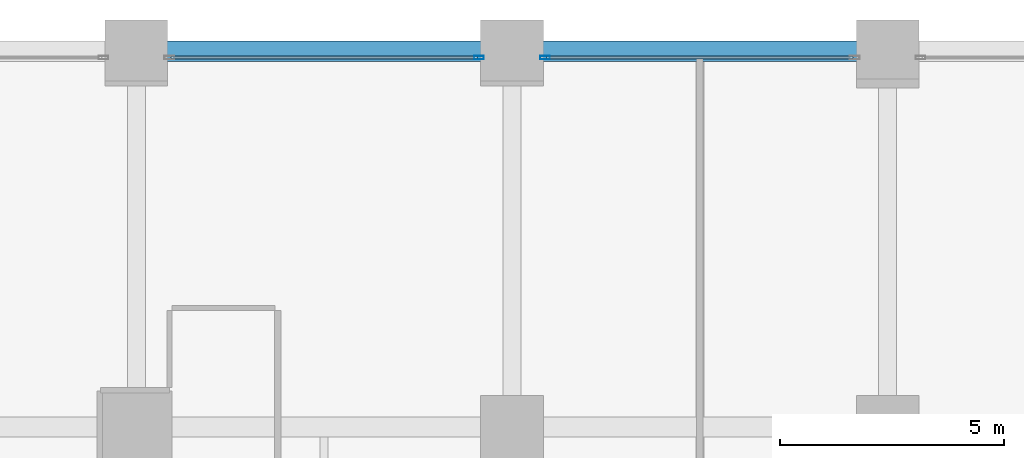
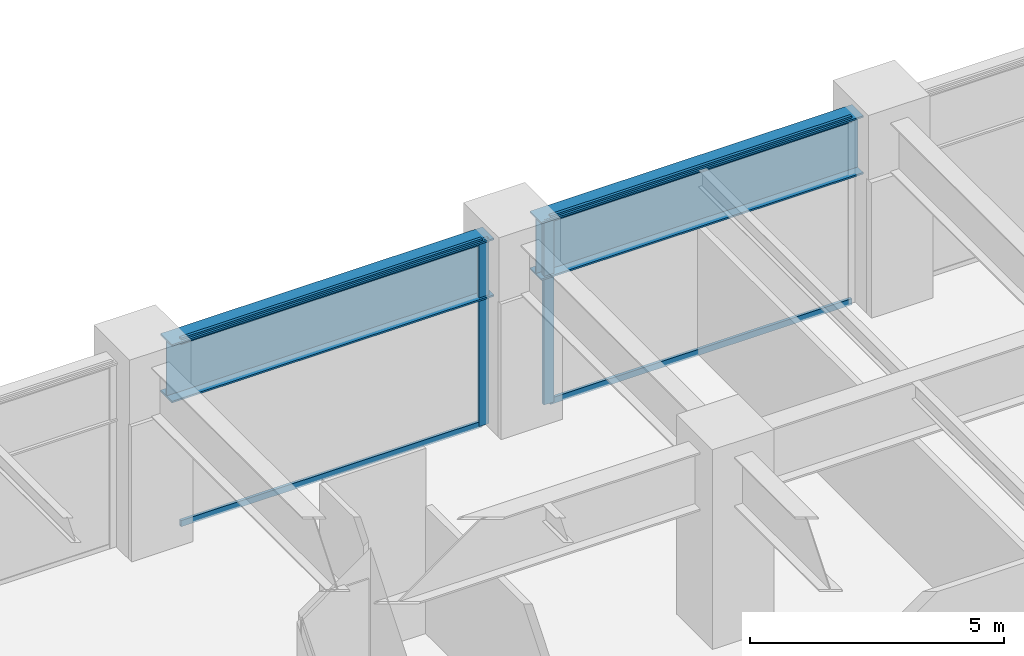
# One storey, part 13 of 24: 6 members, 2 beams, 2 elements without a shape of their own.
"""IFC4 building model written with IfcOpenShell, lengths in metres."""

from ifc_helpers import new_model, si_unit, direction, frame, origin, origin_2d, place, context, subcontext, project, spatial, hollow_rectangle, i_section, extrude, material, layer, layer_set, material_profile, profile_set, type_object, element, aggregate, save


model = new_model("IFC4")

# Units and contexts
model_context = context("Model", 3, precision=1e-05, world=origin(), true_north=direction((0.0, 1.0)))
body_context = subcontext(model_context, "Body", "Model", "MODEL_VIEW")
ifc_project = project(units=[si_unit("LENGTHUNIT", "METRE"), si_unit("AREAUNIT", "SQUARE_METRE"), si_unit("VOLUMEUNIT", "CUBIC_METRE"), si_unit("PLANEANGLEUNIT", "RADIAN"), si_unit("MASSUNIT", "GRAM", prefix="KILO")], contexts=[model_context])

# Site, building, storey
site_placement = place(None, origin())
site = spatial("IfcSite", under=ifc_project, at=site_placement, CompositionType="ELEMENT")
building_placement = place(site_placement, origin())
building = spatial("IfcBuilding", under=site, at=building_placement, Name="Nerrivon Quay Data Exchange", CompositionType="ELEMENT")
storey_placement = place(building_placement, frame((0.0, 0.0, 15.0)))
storey = spatial("IfcBuildingStorey", under=building, at=storey_placement, Name="L03", CompositionType="ELEMENT", Elevation=15.0)

# Beams
ifc_material_1 = material(Name="Steel Grade 350", Category="steel")
ifc_material_profile_1 = material_profile(ifc_material_1, i_section(OverallWidth=0.449951171875, OverallDepth=1.39990234375, WebThickness=0.02001953125, FlangeThickness=0.0400390625, at=origin_2d()), Name="1400WG455")
ifc_profile_set_1 = profile_set([ifc_material_profile_1], Name="Steel Grade 350")
beam_type = type_object("IfcBeamType", Name="BM-TG1-1400WG", PredefinedType="USERDEFINED", material=ifc_profile_set_1)
beam_1_placement = place(storey_placement, frame((17.340087890625, 50.39990234375, 3.75), z_axis=(1.0, 0.0, 0.0), x_axis=(0.0, 1.0, 0.0)))
element("IfcBeam", 1, at=beam_1_placement, inside=storey, type_object=beam_type, Name="L03 EW Girder Y=50.4 (16.8..25.2)", ObjectType="TRANSFER", PredefinedType="USERDEFINED", context=body_context, shape_type="SweptSolid", body=[
    extrude(i_section(OverallWidth=0.449951171875, OverallDepth=1.39990234375, WebThickness=0.02001953125, FlangeThickness=0.0400390625, at=origin_2d()), origin(), (0.0, 0.0, 1.0), 7.31982421875),
])
beam_2_placement = place(storey_placement, frame((25.739990234375, 50.39990234375, 3.75), z_axis=(1.0, 0.0, 0.0), x_axis=(0.0, 1.0, 0.0)))
element("IfcBeam", 2, at=beam_2_placement, inside=storey, type_object=beam_type, Name="L03 EW Girder Y=50.4 (25.2..33.6)", ObjectType="TRANSFER", PredefinedType="USERDEFINED", context=body_context, shape_type="SweptSolid", body=[
    extrude(i_section(OverallWidth=0.449951171875, OverallDepth=1.39990234375, WebThickness=0.02001953125, FlangeThickness=0.0400390625, at=origin_2d()), origin(), (0.0, 0.0, 1.0), 7.320068359375),
])

# Curtain wall, member
ifc_material_2 = material(Name="Anodised aluminium 6063-T6", Category="aluminium")
ifc_layer = layer(ifc_material_2, 0.239990234375)
ifc_layer_set = layer_set([ifc_layer], Name="Anodised aluminium 6063-T6")
curtain_wall_type = type_object("IfcCurtainWallType", Name="CW-SYS-03", PredefinedType="NOTDEFINED", material=ifc_layer_set)
curtain_wall_1_placement = place(storey_placement, origin())
curtain_wall_1 = element("IfcCurtainWall", 3, at=curtain_wall_1_placement, inside=storey, type_object=curtain_wall_type, Name="L03 Unitised Curtain Wall 9", PredefinedType="NOTDEFINED")
ifc_material_profile_2 = material_profile(ifc_material_2, hollow_rectangle(XDim=0.074951171875, YDim=0.219970703125, WallThickness=0.00390625, at=origin_2d()), Name="ALU-MULL-220x75")
ifc_profile_set_2 = profile_set([ifc_material_profile_2], Name="Anodised aluminium 6063-T6")
member_type_1 = type_object("IfcMemberType", Name="CWM-220x75", PredefinedType="MULLION", material=ifc_profile_set_2)
member_1_placement = place(storey_placement, frame((24.46240234375, 50.260009765625, 0.0), z_axis=(0.0, 0.0, 1.0), x_axis=(0.0, 1.0, 0.0)))
member_1 = element("IfcMember", 4, at=member_1_placement, type_object=member_type_1, Name="CW03 mullion 2", PredefinedType="MULLION", context=body_context, shape_type="SweptSolid", body=[
    extrude(hollow_rectangle(XDim=0.074951171875, YDim=0.219970703125, WallThickness=0.00390625, at=origin_2d()), origin(), (0.0, 0.0, 1.0), 4.449951171875),
])

curtain_wall_2_placement = place(storey_placement, origin())
curtain_wall_2 = element("IfcCurtainWall", 5, at=curtain_wall_2_placement, inside=storey, type_object=curtain_wall_type, Name="L03 Unitised Curtain Wall 10", PredefinedType="NOTDEFINED")
member_2_placement = place(storey_placement, frame((25.9375, 50.260009765625, 0.0), z_axis=(0.0, 0.0, 1.0), x_axis=(0.0, 1.0, 0.0)))
member_2 = element("IfcMember", 6, at=member_2_placement, type_object=member_type_1, Name="CW03 mullion 1", PredefinedType="MULLION", context=body_context, shape_type="SweptSolid", body=[
    extrude(hollow_rectangle(XDim=0.074951171875, YDim=0.219970703125, WallThickness=0.00390625, at=origin_2d()), origin(), (0.0, 0.0, 1.0), 4.449951171875),
])

# Member
ifc_material_profile_3 = material_profile(ifc_material_2, hollow_rectangle(XDim=0.06494140625, YDim=0.14990234375, WallThickness=0.00341796875, at=origin_2d()), Name="ALU-TRAN-150x65")
ifc_profile_set_3 = profile_set([ifc_material_profile_3], Name="Anodised aluminium 6063-T6")
member_type_2 = type_object("IfcMemberType", Name="CWT-150x65", PredefinedType="USERDEFINED", material=ifc_profile_set_3)
member_3_placement = place(storey_placement, frame((17.574951171875, 50.260009765625, 0.032470703125), z_axis=(1.0, 0.0, 0.0), x_axis=(0.0, 1.0, 0.0)))
member_3 = element("IfcMember", 7, at=member_3_placement, type_object=member_type_2, Name="CW03 transom 1.1", ObjectType="TRANSOM", PredefinedType="USERDEFINED", context=body_context, shape_type="SweptSolid", body=[
    extrude(hollow_rectangle(XDim=0.06494140625, YDim=0.14990234375, WallThickness=0.00341796875, at=origin_2d()), origin(), (0.0, 0.0, 1.0), 6.85009765625),
])

member_4_placement = place(storey_placement, frame((17.574951171875, 50.260009765625, 4.41748046875), z_axis=(1.0, 0.0, 0.0), x_axis=(0.0, 1.0, 0.0)))
member_4 = element("IfcMember", 8, at=member_4_placement, type_object=member_type_2, Name="CW03 transom 1.2", ObjectType="TRANSOM", PredefinedType="USERDEFINED", context=body_context, shape_type="SweptSolid", body=[
    extrude(hollow_rectangle(XDim=0.06494140625, YDim=0.14990234375, WallThickness=0.00341796875, at=origin_2d()), origin(), (0.0, 0.0, 1.0), 6.85009765625),
])

aggregate(curtain_wall_1, [member_1, member_3, member_4])

member_5_placement = place(storey_placement, frame((25.97509765625, 50.260009765625, 0.032470703125), z_axis=(1.0, 0.0, 0.0), x_axis=(0.0, 1.0, 0.0)))
member_5 = element("IfcMember", 9, at=member_5_placement, type_object=member_type_2, Name="CW03 transom 1.1", ObjectType="TRANSOM", PredefinedType="USERDEFINED", context=body_context, shape_type="SweptSolid", body=[
    extrude(hollow_rectangle(XDim=0.06494140625, YDim=0.14990234375, WallThickness=0.00341796875, at=origin_2d()), origin(), (0.0, 0.0, 1.0), 6.849853515625),
])

member_6_placement = place(storey_placement, frame((25.97509765625, 50.260009765625, 4.41748046875), z_axis=(1.0, 0.0, 0.0), x_axis=(0.0, 1.0, 0.0)))
member_6 = element("IfcMember", 10, at=member_6_placement, type_object=member_type_2, Name="CW03 transom 1.2", ObjectType="TRANSOM", PredefinedType="USERDEFINED", context=body_context, shape_type="SweptSolid", body=[
    extrude(hollow_rectangle(XDim=0.06494140625, YDim=0.14990234375, WallThickness=0.00341796875, at=origin_2d()), origin(), (0.0, 0.0, 1.0), 6.849853515625),
])

aggregate(curtain_wall_2, [member_2, member_5, member_6])

save(model, "model.ifc")
